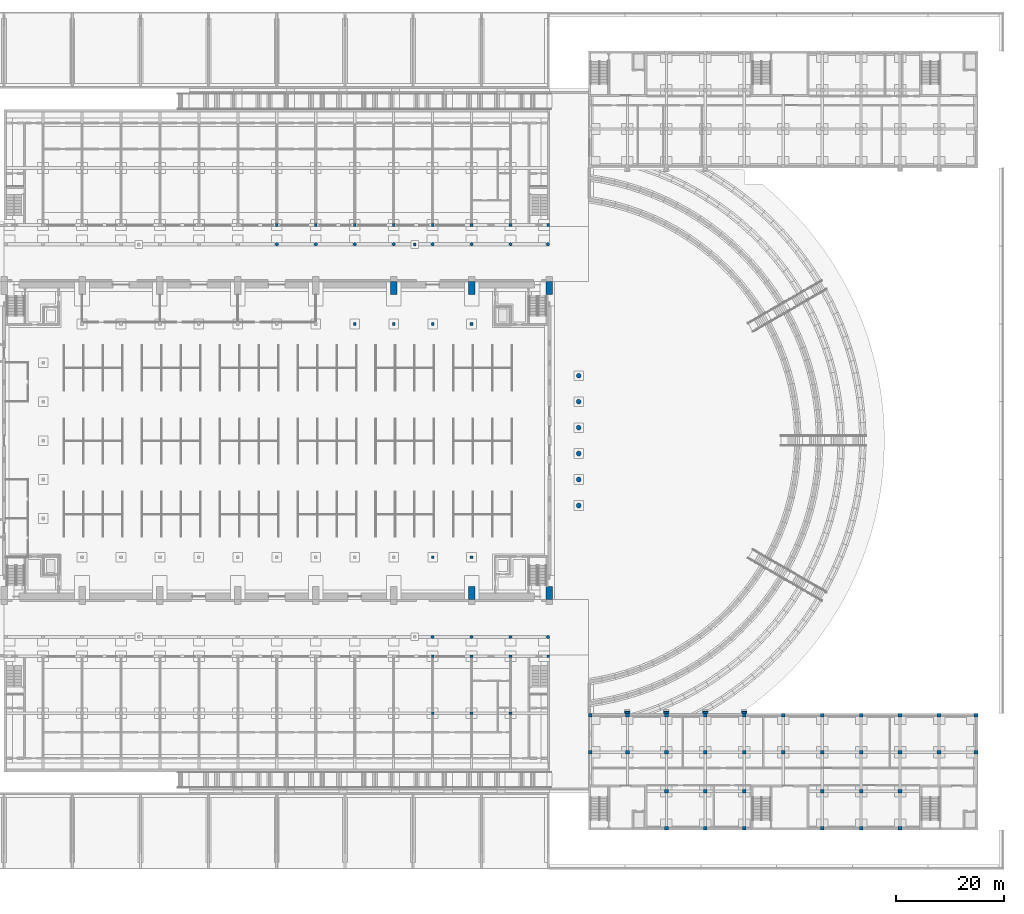
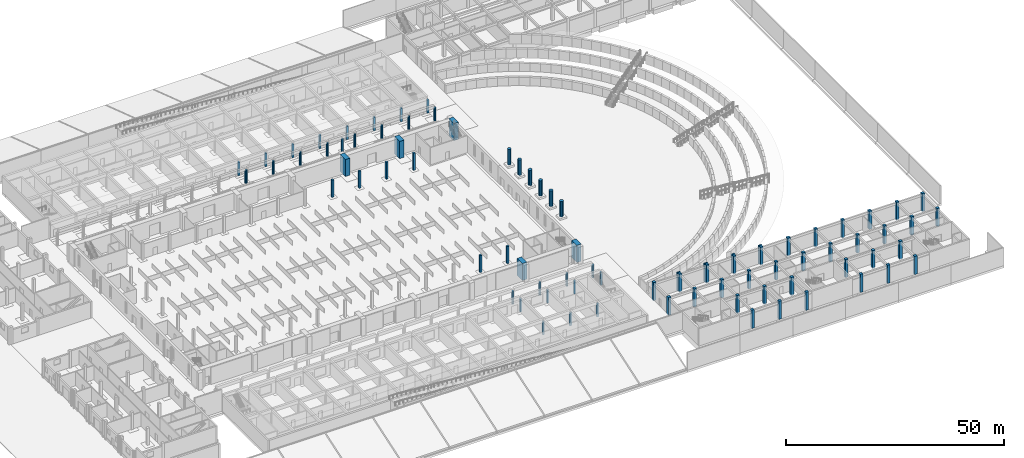
# One storey, part 17 of 73: 83 columns.
"""IFC4 building model written with IfcOpenShell, lengths in metres."""

from ifc_helpers import new_model, si_unit, direction, frame, origin, origin_2d, place, context, subcontext, project, spatial, rectangle, circle, extrude, material, material_profile, profile_set, type_object, element, save


model = new_model("IFC4")

# Units and contexts
model_context = context("Model", 3, precision=1e-05, world=origin(), true_north=direction((0.0, 1.0)))
body_context = subcontext(model_context, "Body", "Model", "MODEL_VIEW")
ifc_project = project(units=[si_unit("LENGTHUNIT", "METRE"), si_unit("AREAUNIT", "SQUARE_METRE"), si_unit("VOLUMEUNIT", "CUBIC_METRE"), si_unit("PLANEANGLEUNIT", "RADIAN"), si_unit("MASSUNIT", "GRAM", prefix="KILO")], contexts=[model_context])

# Site, building, storey
site_placement = place(None, origin())
site = spatial("IfcSite", under=ifc_project, at=site_placement, CompositionType="ELEMENT")
building_placement = place(site_placement, origin())
building = spatial("IfcBuilding", under=site, at=building_placement, Name="Alderwick Market Hall", CompositionType="ELEMENT")
storey_placement = place(building_placement, origin())
storey = spatial("IfcBuildingStorey", under=building, at=storey_placement, Name="LG", CompositionType="ELEMENT", Elevation=0.0)

# Columns
ifc_material = material(Name="Concrete 5000 psi (f'c 35 MPa)", Category="concrete")
ifc_material_profile_1 = material_profile(ifc_material, circle(Radius=0.300048828125, at=origin_2d()), Name="A RC Colonnade Column D600")
ifc_profile_set_1 = profile_set([ifc_material_profile_1], Name="Concrete 5000 psi (f'c 35 MPa)")
column_type_1 = type_object("IfcColumnType", Name="A RC Colonnade Column D600", PredefinedType="COLUMN", material=ifc_profile_set_1)
for number, where, z_axis, x_axis, name in (
    (1, (100.800048828125, 115.5, 0.0), (0.0, 0.0, 1.0), (1.0, 0.0, 0.0), "A.N.col.C07"),
    (2, (108.0, 115.5, 0.0), (0.0, 0.0, 1.0), (1.0, 0.0, 0.0), "A.N.col.C08"),
    (3, (115.199951171875, 115.5, 0.0), (0.0, 0.0, 1.0), (1.0, 0.0, 0.0), "A.N.col.C09"),
    (4, (122.39990234375, 115.5, 0.0), (0.0, 0.0, 1.0), (1.0, 0.0, 0.0), "A.N.col.C10"),
    (5, (129.60009765625, 115.5, 0.0), (0.0, 0.0, 1.0), (1.0, 0.0, 0.0), "A.N.col.C11"),
    (6, (136.800048828125, 115.5, 0.0), (0.0, 0.0, 1.0), (1.0, 0.0, 0.0), "A.N.col.C12"),
    (7, (144.0, 115.5, 0.0), (0.0, 0.0, 1.0), (1.0, 0.0, 0.0), "A.N.col.C13"),
    (8, (150.89990234375, 115.5, 0.0), (0.0, 0.0, 1.0), (1.0, 0.0, 0.0), "A.N.col.C14"),
    (9, (129.60009765625, 42.89990234375, 0.0), (0.0, 0.0, 1.0), (1.0, 0.0, 0.0), "A.S.col.C11"),
    (10, (136.800048828125, 42.89990234375, 0.0), (0.0, 0.0, 1.0), (1.0, 0.0, 0.0), "A.S.col.C12"),
    (11, (144.0, 42.89990234375, 0.0), (0.0, 0.0, 1.0), (1.0, 0.0, 0.0), "A.S.col.C13"),
    (12, (150.89990234375, 42.89990234375, 0.0), (0.0, 0.0, 1.0), (1.0, 0.0, 0.0), "A.S.col.C14"),
):
    element("IfcColumn", number, at=place(storey_placement, frame(where, z_axis=z_axis, x_axis=x_axis)), inside=storey, type_object=column_type_1, Name=name, PredefinedType="COLUMN", context=body_context, shape_type="SweptSolid", body=[
        extrude(circle(Radius=0.300048828125, at=origin_2d()), origin(), (0.0, 0.0, 1.0), 3.60009765625),
    ])
ifc_material_profile_2 = material_profile(ifc_material, rectangle(XDim=0.5, YDim=0.5, at=origin_2d()), Name="A RC Column 500x500")
ifc_profile_set_2 = profile_set([ifc_material_profile_2], Name="Concrete 5000 psi (f'c 35 MPa)")
column_type_2 = type_object("IfcColumnType", Name="A RC Column 500x500", PredefinedType="COLUMN", material=ifc_profile_set_2)
for number, where, z_axis, x_axis, name in (
    (13, (100.800048828125, 119.050048828125, 0.0), (0.0, 0.0, 1.0), (1.0, 0.0, 0.0), "A.N.col.F07"),
    (14, (108.0, 119.050048828125, 0.0), (0.0, 0.0, 1.0), (1.0, 0.0, 0.0), "A.N.col.F08"),
    (15, (115.199951171875, 119.050048828125, 0.0), (0.0, 0.0, 1.0), (1.0, 0.0, 0.0), "A.N.col.F09"),
    (16, (122.39990234375, 119.050048828125, 0.0), (0.0, 0.0, 1.0), (1.0, 0.0, 0.0), "A.N.col.F10"),
    (17, (129.60009765625, 119.050048828125, 0.0), (0.0, 0.0, 1.0), (1.0, 0.0, 0.0), "A.N.col.F11"),
    (18, (136.800048828125, 119.050048828125, 0.0), (0.0, 0.0, 1.0), (1.0, 0.0, 0.0), "A.N.col.F12"),
    (19, (144.0, 119.050048828125, 0.0), (0.0, 0.0, 1.0), (1.0, 0.0, 0.0), "A.N.col.F13"),
    (20, (150.949951171875, 119.050048828125, 0.0), (0.0, 0.0, 1.0), (1.0, 0.0, 0.0), "A.N.col.F14"),
    (21, (129.60009765625, 39.35009765625, 0.0), (0.0, 0.0, 1.0), (1.0, 0.0, 0.0), "A.S.col.F11"),
    (22, (136.800048828125, 39.35009765625, 0.0), (0.0, 0.0, 1.0), (1.0, 0.0, 0.0), "A.S.col.F12"),
    (23, (144.0, 39.35009765625, 0.0), (0.0, 0.0, 1.0), (1.0, 0.0, 0.0), "A.S.col.F13"),
    (24, (150.949951171875, 39.35009765625, 0.0), (0.0, 0.0, 1.0), (1.0, 0.0, 0.0), "A.S.col.F14"),
    (25, (129.60009765625, 28.800048828125, 0.0), (0.0, 0.0, 1.0), (1.0, 0.0, 0.0), "A.S.col.M10"),
    (26, (136.800048828125, 28.800048828125, 0.0), (0.0, 0.0, 1.0), (1.0, 0.0, 0.0), "A.S.col.M11"),
    (27, (144.0, 28.800048828125, 0.0), (0.0, 0.0, 1.0), (1.0, 0.0, 0.0), "A.S.col.M12"),
):
    element("IfcColumn", number, at=place(storey_placement, frame(where, z_axis=z_axis, x_axis=x_axis)), inside=storey, type_object=column_type_2, Name=name, PredefinedType="COLUMN", context=body_context, shape_type="SweptSolid", body=[
        extrude(rectangle(XDim=0.5, YDim=0.5, at=origin_2d()), origin(), (0.0, 0.0, 1.0), 3.699951171875),
    ])
ifc_material_profile_3 = material_profile(ifc_material, rectangle(XDim=0.699951171875, YDim=0.699951171875, at=origin_2d()), Name="RC 700x700")
ifc_profile_set_3 = profile_set([ifc_material_profile_3], Name="Concrete 5000 psi (f'c 35 MPa)")
column_type_3 = type_object("IfcColumnType", Name="C Column RC 700x700", PredefinedType="COLUMN", material=ifc_profile_set_3)
for number, where, z_axis, x_axis, name in (
    (28, (158.75, 28.449951171875, -0.300048828125), (0.0, 0.0, 1.0), (1.0, 0.0, 0.0), "C.col.LG.01"),
    (29, (165.60009765625, 28.449951171875, -0.300048828125), (0.0, 0.0, 1.0), (1.0, 0.0, 0.0), "C.col.LG.02"),
    (30, (172.800048828125, 28.449951171875, -0.300048828125), (0.0, 0.0, 1.0), (1.0, 0.0, 0.0), "C.col.LG.03"),
    (31, (180.0, 28.449951171875, -0.300048828125), (0.0, 0.0, 1.0), (1.0, 0.0, 0.0), "C.col.LG.04"),
    (32, (187.199951171875, 28.449951171875, -0.300048828125), (0.0, 0.0, 1.0), (1.0, 0.0, 0.0), "C.col.LG.05"),
    (33, (194.39990234375, 28.449951171875, -0.300048828125), (0.0, 0.0, 1.0), (1.0, 0.0, 0.0), "C.col.LG.06"),
    (34, (201.60009765625, 28.449951171875, -0.300048828125), (0.0, 0.0, 1.0), (1.0, 0.0, 0.0), "C.col.LG.07"),
    (35, (208.800048828125, 28.449951171875, -0.300048828125), (0.0, 0.0, 1.0), (1.0, 0.0, 0.0), "C.col.LG.08"),
    (36, (216.0, 28.449951171875, -0.300048828125), (0.0, 0.0, 1.0), (1.0, 0.0, 0.0), "C.col.LG.09"),
    (37, (223.199951171875, 28.449951171875, -0.300048828125), (0.0, 0.0, 1.0), (1.0, 0.0, 0.0), "C.col.LG.10"),
    (38, (230.050048828125, 28.449951171875, -0.300048828125), (0.0, 0.0, 1.0), (1.0, 0.0, 0.0), "C.col.LG.11"),
    (39, (158.75, 21.60009765625, -0.300048828125), (0.0, 0.0, 1.0), (1.0, 0.0, 0.0), "C.col.LG.12"),
    (40, (165.60009765625, 21.60009765625, -0.300048828125), (0.0, 0.0, 1.0), (1.0, 0.0, 0.0), "C.col.LG.13"),
    (41, (172.800048828125, 21.60009765625, -0.300048828125), (0.0, 0.0, 1.0), (1.0, 0.0, 0.0), "C.col.LG.14"),
    (42, (180.0, 21.60009765625, -0.300048828125), (0.0, 0.0, 1.0), (1.0, 0.0, 0.0), "C.col.LG.15"),
    (43, (187.199951171875, 21.60009765625, -0.300048828125), (0.0, 0.0, 1.0), (1.0, 0.0, 0.0), "C.col.LG.16"),
    (44, (194.39990234375, 21.60009765625, -0.300048828125), (0.0, 0.0, 1.0), (1.0, 0.0, 0.0), "C.col.LG.17"),
    (45, (201.60009765625, 21.60009765625, -0.300048828125), (0.0, 0.0, 1.0), (1.0, 0.0, 0.0), "C.col.LG.18"),
    (46, (208.800048828125, 21.60009765625, -0.300048828125), (0.0, 0.0, 1.0), (1.0, 0.0, 0.0), "C.col.LG.19"),
    (47, (216.0, 21.60009765625, -0.300048828125), (0.0, 0.0, 1.0), (1.0, 0.0, 0.0), "C.col.LG.20"),
    (48, (223.199951171875, 21.60009765625, -0.300048828125), (0.0, 0.0, 1.0), (1.0, 0.0, 0.0), "C.col.LG.21"),
    (49, (230.050048828125, 21.60009765625, -0.300048828125), (0.0, 0.0, 1.0), (1.0, 0.0, 0.0), "C.col.LG.22"),
    (50, (172.800048828125, 14.39990234375, -0.300048828125), (0.0, 0.0, 1.0), (1.0, 0.0, 0.0), "C.col.LG.23"),
    (51, (180.0, 14.39990234375, -0.300048828125), (0.0, 0.0, 1.0), (1.0, 0.0, 0.0), "C.col.LG.24"),
    (52, (187.199951171875, 14.39990234375, -0.300048828125), (0.0, 0.0, 1.0), (1.0, 0.0, 0.0), "C.col.LG.25"),
    (53, (201.60009765625, 14.39990234375, -0.300048828125), (0.0, 0.0, 1.0), (1.0, 0.0, 0.0), "C.col.LG.26"),
    (54, (208.800048828125, 14.39990234375, -0.300048828125), (0.0, 0.0, 1.0), (1.0, 0.0, 0.0), "C.col.LG.27"),
    (55, (216.0, 14.39990234375, -0.300048828125), (0.0, 0.0, 1.0), (1.0, 0.0, 0.0), "C.col.LG.28"),
    (56, (172.800048828125, 7.550048828125, -0.300048828125), (0.0, 0.0, 1.0), (1.0, 0.0, 0.0), "C.col.LG.29"),
    (57, (180.0, 7.550048828125, -0.300048828125), (0.0, 0.0, 1.0), (1.0, 0.0, 0.0), "C.col.LG.30"),
    (58, (187.199951171875, 7.550048828125, -0.300048828125), (0.0, 0.0, 1.0), (1.0, 0.0, 0.0), "C.col.LG.31"),
    (59, (201.60009765625, 7.550048828125, -0.300048828125), (0.0, 0.0, 1.0), (1.0, 0.0, 0.0), "C.col.LG.32"),
    (60, (208.800048828125, 7.550048828125, -0.300048828125), (0.0, 0.0, 1.0), (1.0, 0.0, 0.0), "C.col.LG.33"),
    (61, (216.0, 7.550048828125, -0.300048828125), (0.0, 0.0, 1.0), (1.0, 0.0, 0.0), "C.col.LG.34"),
):
    element("IfcColumn", number, at=place(storey_placement, frame(where, z_axis=z_axis, x_axis=x_axis)), inside=storey, type_object=column_type_3, Name=name, PredefinedType="COLUMN", context=body_context, shape_type="SweptSolid", body=[
        extrude(rectangle(XDim=0.699951171875, YDim=0.699951171875, at=origin_2d()), origin(), (0.0, 0.0, 1.0), 5.10009765625),
    ])
ifc_material_profile_4 = material_profile(ifc_material, rectangle(XDim=0.89990234375, YDim=0.35009765625, at=origin_2d()), Name="PC 900x350")
ifc_profile_set_4 = profile_set([ifc_material_profile_4], Name="Concrete 5000 psi (f'c 35 MPa)")
column_type_4 = type_object("IfcColumnType", Name="C Pilaster Precast Concrete 900x350", PredefinedType="PILASTER", material=ifc_profile_set_4)
for number, where, z_axis, x_axis, name in (
    (62, (165.60009765625, 28.97509765625, -0.300048828125), (0.0, 0.0, 1.0), (1.0, 0.0, 0.0), "C.pilaster.LG.001"),
    (63, (172.800048828125, 28.97509765625, -0.300048828125), (0.0, 0.0, 1.0), (1.0, 0.0, 0.0), "C.pilaster.LG.005"),
    (64, (180.0, 28.97509765625, -0.300048828125), (0.0, 0.0, 1.0), (1.0, 0.0, 0.0), "C.pilaster.LG.009"),
    (65, (187.199951171875, 28.97509765625, -0.300048828125), (0.0, 0.0, 1.0), (1.0, 0.0, 0.0), "C.pilaster.LG.013"),
):
    element("IfcColumn", number, at=place(storey_placement, frame(where, z_axis=z_axis, x_axis=x_axis)), inside=storey, type_object=column_type_4, Name=name, PredefinedType="PILASTER", context=body_context, shape_type="SweptSolid", body=[
        extrude(rectangle(XDim=0.89990234375, YDim=0.35009765625, at=origin_2d()), origin(), (0.0, 0.0, 1.0), 5.10009765625),
    ])
ifc_material_profile_5 = material_profile(ifc_material, rectangle(XDim=0.5, YDim=0.5, at=origin_2d()), Name="RC 500x500")
ifc_profile_set_5 = profile_set([ifc_material_profile_5], Name="Concrete 5000 psi (f'c 35 MPa)")
column_type_5 = type_object("IfcColumnType", Name="H Column 500x500", PredefinedType="COLUMN", material=ifc_profile_set_5)
for number, where, z_axis, x_axis, name in (
    (66, (115.199951171875, 100.760009765625, 0.0), (0.0, 0.0, 1.0), (1.0, 0.0, 0.0), "Gallery column N16"),
    (67, (122.39990234375, 100.760009765625, 0.0), (0.0, 0.0, 1.0), (1.0, 0.0, 0.0), "Gallery column N18"),
    (68, (129.60009765625, 57.639892578125, 0.0), (0.0, 0.0, 1.0), (1.0, 0.0, 0.0), "Gallery column S19"),
    (69, (129.60009765625, 100.760009765625, 0.0), (0.0, 0.0, 1.0), (1.0, 0.0, 0.0), "Gallery column N20"),
    (70, (136.800048828125, 57.639892578125, 0.0), (0.0, 0.0, 1.0), (1.0, 0.0, 0.0), "Gallery column S21"),
    (71, (136.800048828125, 100.760009765625, 0.0), (0.0, 0.0, 1.0), (1.0, 0.0, 0.0), "Gallery column N22"),
):
    element("IfcColumn", number, at=place(storey_placement, frame(where, z_axis=z_axis, x_axis=x_axis)), inside=storey, type_object=column_type_5, Name=name, PredefinedType="COLUMN", context=body_context, shape_type="SweptSolid", body=[
        extrude(rectangle(XDim=0.5, YDim=0.5, at=origin_2d()), origin(), (0.0, 0.0, 1.0), 4.800048828125),
    ])
ifc_material_profile_6 = material_profile(ifc_material, rectangle(XDim=0.5, YDim=0.5, at=origin_2d()), Name="P RC Corbel Pier 500x500")
ifc_profile_set_6 = profile_set([ifc_material_profile_6], Name="Concrete 5000 psi (f'c 35 MPa)")
column_type_6 = type_object("IfcColumnType", Name="P RC Corbel Pier 500x500", PredefinedType="COLUMN", material=ifc_profile_set_6)
column_placement = place(storey_placement, frame((126.300048828125, 115.449951171875, 0.0), z_axis=(0.0, 0.0, 1.0), x_axis=(1.0, 0.0, 0.0)))
element("IfcColumn", 72, at=column_placement, inside=storey, type_object=column_type_6, Name="Corbel pier", PredefinedType="COLUMN", context=body_context, shape_type="SweptSolid", body=[
    extrude(rectangle(XDim=0.5, YDim=0.5, at=origin_2d()), origin(), (0.0, 0.0, 1.0), 3.632080078125),
])
ifc_material_profile_7 = material_profile(ifc_material, rectangle(XDim=1.199951171875, YDim=2.39990234375, at=origin_2d()), Name="RC 1200x2400")
ifc_profile_set_7 = profile_set([ifc_material_profile_7], Name="Concrete 5000 psi (f'c 35 MPa)")
column_type_7 = type_object("IfcColumnType", Name="R Buttress Pier 1200x2400", PredefinedType="COLUMN", material=ifc_profile_set_7)
for number, where, z_axis, x_axis, name in (
    (73, (136.800048828125, 51.0, 0.0), (0.0, 0.0, 1.0), (1.0, 0.0, 0.0), "Buttress pier S7 LG"),
    (74, (151.199951171875, 51.0, 0.0), (0.0, 0.0, 1.0), (1.0, 0.0, 0.0), "Buttress pier S8 LG"),
    (75, (122.39990234375, 107.39990234375, 0.0), (0.0, 0.0, 1.0), (1.0, 0.0, 0.0), "Buttress pier N6 LG"),
    (76, (136.800048828125, 107.39990234375, 0.0), (0.0, 0.0, 1.0), (1.0, 0.0, 0.0), "Buttress pier N7 LG"),
    (77, (151.199951171875, 107.39990234375, 0.0), (0.0, 0.0, 1.0), (1.0, 0.0, 0.0), "Buttress pier N8 LG"),
):
    element("IfcColumn", number, at=place(storey_placement, frame(where, z_axis=z_axis, x_axis=x_axis)), inside=storey, type_object=column_type_7, Name=name, PredefinedType="COLUMN", context=body_context, shape_type="SweptSolid", body=[
        extrude(rectangle(XDim=1.199951171875, YDim=2.39990234375, at=origin_2d()), origin(), (0.0, 0.0, 1.0), 4.800048828125),
    ])
ifc_material_profile_8 = material_profile(ifc_material, circle(Radius=0.449951171875, at=origin_2d()), Name="RC D900")
ifc_profile_set_8 = profile_set([ifc_material_profile_8], Name="Concrete 5000 psi (f'c 35 MPa)")
column_type_8 = type_object("IfcColumnType", Name="R Portico Column D900", PredefinedType="COLUMN", material=ifc_profile_set_8)
for number, where, z_axis, x_axis, name in (
    (78, (156.60009765625, 67.199951171875, 0.5), (0.0, 0.0, 1.0), (1.0, 0.0, 0.0), "Portico column 1 LG"),
    (79, (156.60009765625, 72.0, 0.5), (0.0, 0.0, 1.0), (1.0, 0.0, 0.0), "Portico column 2 LG"),
    (80, (156.60009765625, 76.800048828125, 0.5), (0.0, 0.0, 1.0), (1.0, 0.0, 0.0), "Portico column 3 LG"),
    (81, (156.60009765625, 81.60009765625, 0.5), (0.0, 0.0, 1.0), (1.0, 0.0, 0.0), "Portico column 4 LG"),
    (82, (156.60009765625, 86.39990234375, 0.5), (0.0, 0.0, 1.0), (1.0, 0.0, 0.0), "Portico column 5 LG"),
    (83, (156.60009765625, 91.199951171875, 0.5), (0.0, 0.0, 1.0), (1.0, 0.0, 0.0), "Portico column 6 LG"),
):
    element("IfcColumn", number, at=place(storey_placement, frame(where, z_axis=z_axis, x_axis=x_axis)), inside=storey, type_object=column_type_8, Name=name, PredefinedType="COLUMN", context=body_context, shape_type="SweptSolid", body=[
        extrude(circle(Radius=0.449951171875, at=origin_2d()), origin(), (0.0, 0.0, 1.0), 4.300048828125),
    ])

save(model, "model.ifc")
